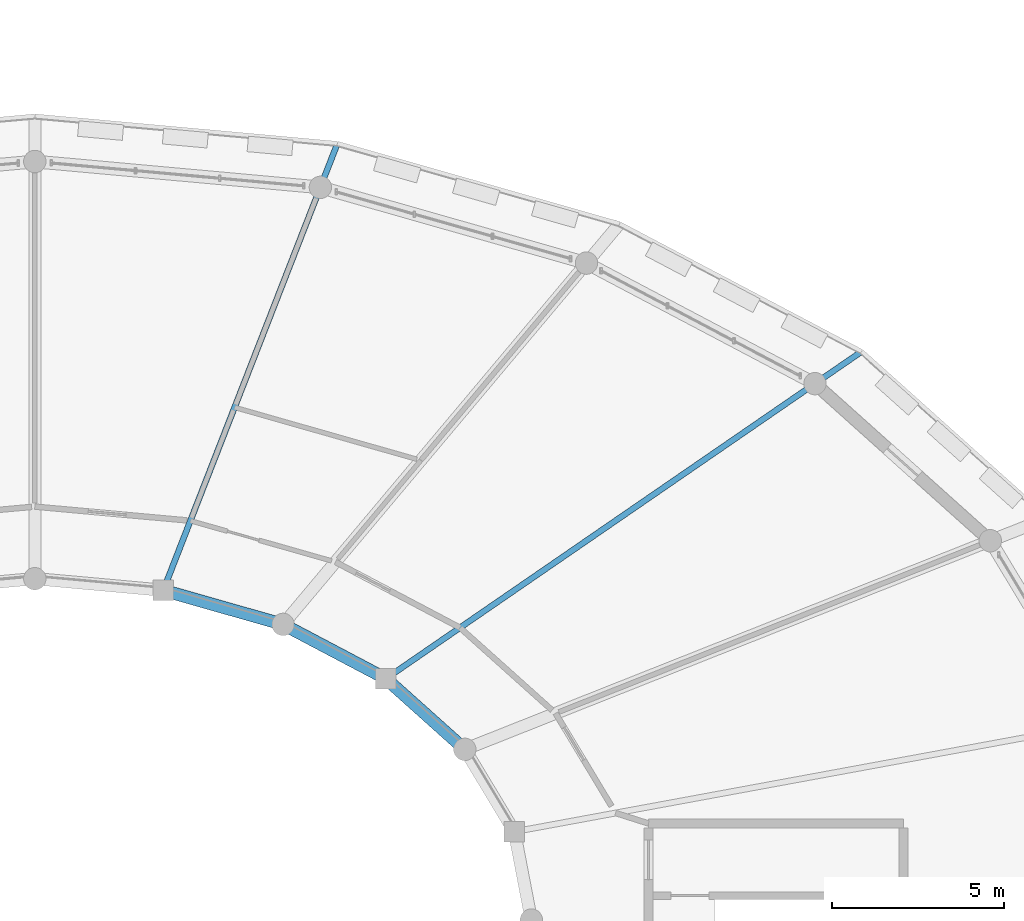
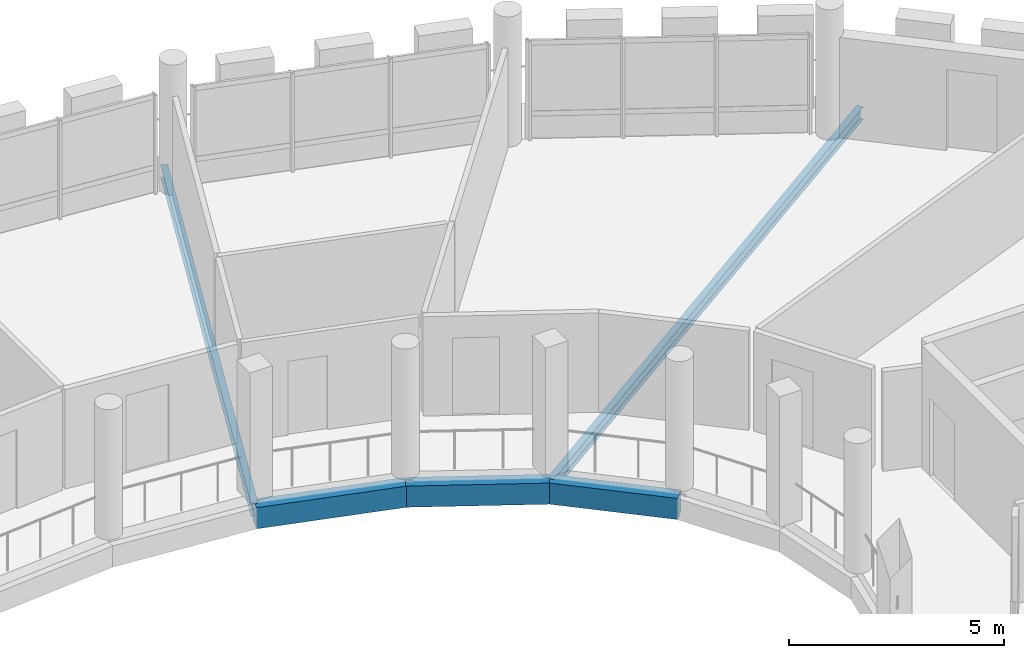
# One storey, part 49 of 84: 5 beams.
"""IFC4 building model written with IfcOpenShell, lengths in metres."""

from ifc_helpers import new_model, si_unit, direction, frame, origin, origin_2d, place, context, subcontext, project, spatial, rectangle, i_section, extrude, material, material_profile, profile_set, type_object, element, save


model = new_model("IFC4")

# Units and contexts
model_context = context("Model", 3, precision=1e-05, world=origin(), true_north=direction((0.0, 1.0)))
body_context = subcontext(model_context, "Body", "Model", "MODEL_VIEW")
ifc_project = project(units=[si_unit("LENGTHUNIT", "METRE"), si_unit("AREAUNIT", "SQUARE_METRE"), si_unit("VOLUMEUNIT", "CUBIC_METRE"), si_unit("PLANEANGLEUNIT", "RADIAN"), si_unit("MASSUNIT", "GRAM", prefix="KILO")], contexts=[model_context])

# Site, building, storey
site_placement = place(None, origin())
site = spatial("IfcSite", under=ifc_project, at=site_placement, CompositionType="ELEMENT")
building_placement = place(site_placement, origin())
building = spatial("IfcBuilding", under=site, at=building_placement, Name="Zornivar Specialist Clinic", CompositionType="ELEMENT")
storey_placement = place(building_placement, frame((0.0, 0.0, 12.300048828125)))
storey = spatial("IfcBuildingStorey", under=building, at=storey_placement, Name="L03", CompositionType="ELEMENT", Elevation=12.300048828125)

# Beams
ifc_material_1 = material(Name="Concrete C30/37", Category="concrete")
ifc_material_profile_1 = material_profile(ifc_material_1, rectangle(XDim=0.360107421875, YDim=0.60009765625, at=origin_2d()), Name="RC 360x600")
ifc_profile_set_1 = profile_set([ifc_material_profile_1], Name="Concrete C30/37")
beam_type_1 = type_object("IfcBeamType", Name="BM-RC-360x600", PredefinedType="BEAM", material=ifc_profile_set_1)
beam_1_placement = place(storey_placement, frame((106.071044921875, 62.550048828125, -0.590087890625), z_axis=(-0.744927462836, 0.66714546773, 0.0), x_axis=(-0.66714546773, -0.744927462836, 0.0)))
element("IfcBeam", 1, at=beam_1_placement, inside=storey, type_object=beam_type_1, Name="bm:V1:L03:inring:02", PredefinedType="BEAM", context=body_context, shape_type="SweptSolid", body=[
    extrude(rectangle(XDim=0.360107421875, YDim=0.60009765625, at=origin_2d()), origin(), (0.0, 0.0, 1.0), 3.07275390625),
])
beam_2_placement = place(storey_placement, frame((103.781982421875, 64.60009765625, -0.590087890625), z_axis=(-0.884363165653, 0.466799519319, 0.0), x_axis=(-0.466799519319, -0.884363165653, 0.0)))
element("IfcBeam", 2, at=beam_2_placement, inside=storey, type_object=beam_type_1, Name="bm:V1:L03:inring:03", PredefinedType="BEAM", context=body_context, shape_type="SweptSolid", body=[
    extrude(rectangle(XDim=0.360107421875, YDim=0.60009765625, at=origin_2d()), origin(), (0.0, 0.0, 1.0), 3.371826171875),
])
beam_3_placement = place(storey_placement, frame((100.800048828125, 66.174072265625, -0.590087890625), z_axis=(-0.961765935349, 0.2738727544, 0.0), x_axis=(-0.2738727544, -0.961765935349, 0.0)))
element("IfcBeam", 3, at=beam_3_placement, inside=storey, type_object=beam_type_1, Name="bm:V1:L03:inring:04", PredefinedType="BEAM", context=body_context, shape_type="SweptSolid", body=[
    extrude(rectangle(XDim=0.360107421875, YDim=0.60009765625, at=origin_2d()), origin(), (0.0, 0.0, 1.0), 3.611328125),
])
ifc_material_2 = material(Name="Steel S355J2", Category="steel")
ifc_material_profile_2 = material_profile(ifc_material_2, i_section(OverallWidth=0.169921875, OverallDepth=0.360107421875, WebThickness=0.008056640625, FlangeThickness=0.0126953125, FilletRadius=0.01806640625, at=origin_2d()), Name="IPE 360")
ifc_profile_set_2 = profile_set([ifc_material_profile_2], Name="Steel S355J2")
beam_type_2 = type_object("IfcBeamType", Name="BM-STL-IPE360", PredefinedType="BEAM", material=ifc_profile_set_2)
beam_4_placement = place(storey_placement, frame((103.781982421875, 64.60009765625, -0.469970703125), z_axis=(0.82402959127, 0.566546761276, 0.0), x_axis=(-0.566546761276, 0.82402959127, 0.0)))
element("IfcBeam", 4, at=beam_4_placement, inside=storey, type_object=beam_type_2, Name="bm:V1:L03:radmid:03", PredefinedType="BEAM", context=body_context, shape_type="SweptSolid", body=[
    extrude(i_section(OverallWidth=0.169921875, OverallDepth=0.360107421875, WebThickness=0.008056640625, FlangeThickness=0.0126953125, FilletRadius=0.01806640625, at=origin_2d()), origin(), (0.0, 0.0, 1.0), 16.75048828125),
])
beam_5_placement = place(storey_placement, frame((97.326904296875, 67.1630859375, -0.469970703125), z_axis=(0.363149073781, 0.931731050364, 0.0), x_axis=(-0.931731050364, 0.363149073781, 0.0)))
element("IfcBeam", 5, at=beam_5_placement, inside=storey, type_object=beam_type_2, Name="bm:V1:L03:radmid:05", PredefinedType="BEAM", context=body_context, shape_type="SweptSolid", body=[
    extrude(i_section(OverallWidth=0.169921875, OverallDepth=0.360107421875, WebThickness=0.008056640625, FlangeThickness=0.0126953125, FilletRadius=0.01806640625, at=origin_2d()), origin(), (0.0, 0.0, 1.0), 13.91162109375),
])

save(model, "model.ifc")
